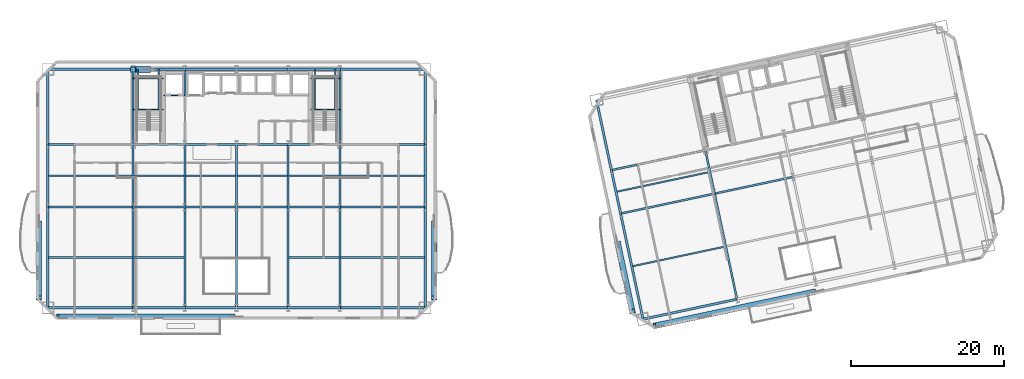
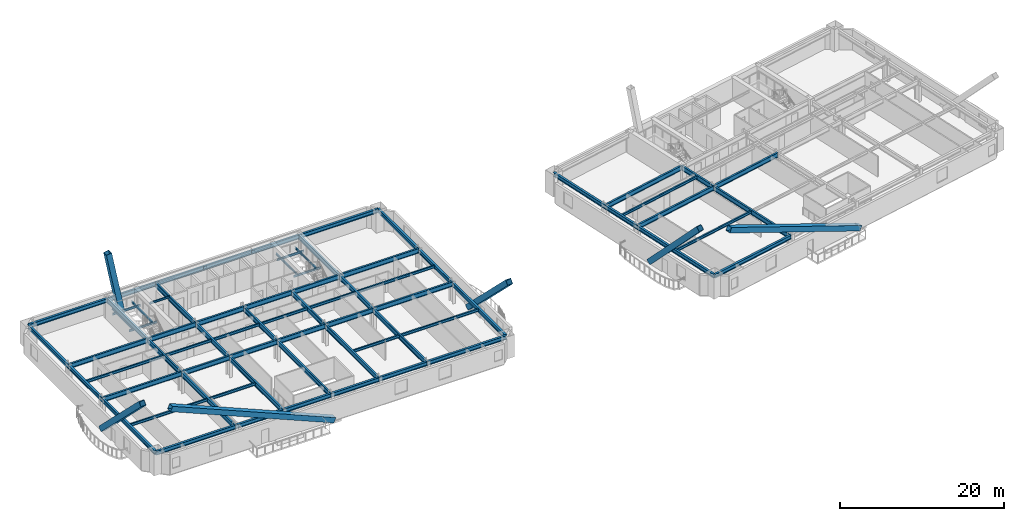
# One storey, part 3 of 18: 73 beams, 6 members.
"""IFC4 building model written with IfcOpenShell, lengths in metres."""

from ifc_helpers import new_model, si_unit, direction, frame, origin, origin_2d, place, context, subcontext, project, spatial, hollow_rectangle, i_section, extrude, material, material_profile, profile_set, type_object, element, save


model = new_model("IFC4")

# Units and contexts
model_context = context("Model", 3, precision=1e-05, world=origin(), true_north=direction((0.0, 1.0)))
body_context = subcontext(model_context, "Body", "Model", "MODEL_VIEW")
ifc_project = project(units=[si_unit("LENGTHUNIT", "METRE"), si_unit("AREAUNIT", "SQUARE_METRE"), si_unit("VOLUMEUNIT", "CUBIC_METRE"), si_unit("PLANEANGLEUNIT", "RADIAN"), si_unit("MASSUNIT", "GRAM", prefix="KILO")], contexts=[model_context])

# Site, building, storey
site_placement = place(None, origin())
site = spatial("IfcSite", under=ifc_project, at=site_placement, CompositionType="ELEMENT")
building_placement = place(site_placement, origin())
building = spatial("IfcBuilding", under=site, at=building_placement, Name="Haevon Station Towers", CompositionType="ELEMENT")
storey_placement = place(building_placement, frame((0.0, 0.0, 60.300048828125)))
storey = spatial("IfcBuildingStorey", under=building, at=storey_placement, Name="L15", CompositionType="ELEMENT", Elevation=60.300048828125)

# Beams
ifc_material_1 = material(Name="Steel S355", Category="steel")
ifc_material_profile_1 = material_profile(ifc_material_1, i_section(OverallWidth=0.25, OverallDepth=0.699951171875, WebThickness=0.012939453125, FlangeThickness=0.02392578125, at=origin_2d()), Name="H-700x250x13x24")
ifc_profile_set_1 = profile_set([ifc_material_profile_1], Name="Steel S355")
beam_type_1 = type_object("IfcBeamType", Name="BM-G700", PredefinedType="BEAM", material=ifc_profile_set_1)
beam_1_placement = place(storey_placement, frame((12.85009765625, 30.0, 2.699951171875), z_axis=(1.0, 0.0, 0.0), x_axis=(0.0, 1.0, 0.0)))
element("IfcBeam", 1, at=beam_1_placement, inside=storey, type_object=beam_type_1, Name="BM-T1U-L15-02-01", PredefinedType="BEAM", context=body_context, shape_type="SweptSolid", body=[
    extrude(i_section(OverallWidth=0.25, OverallDepth=0.699951171875, WebThickness=0.012939453125, FlangeThickness=0.02392578125, at=origin_2d()), origin(), (0.0, 0.0, 1.0), 11.14990234375),
])
for number, where, z_axis, x_axis, name in (
    (2, (24.0, 30.0, 2.699951171875), (1.0, 0.0, 0.0), (0.0, 1.0, 0.0), "BM-T1U-L15-02-02"),
    (3, (30.75, 30.0, 2.699951171875), (1.0, 0.0, 0.0), (0.0, 1.0, 0.0), "BM-T1U-L15-02-03"),
    (4, (37.5, 30.0, 2.699951171875), (1.0, 0.0, 0.0), (0.0, 1.0, 0.0), "BM-T1U-L15-02-04"),
    (5, (44.25, 30.0, 2.699951171875), (1.0, 0.0, 0.0), (0.0, 1.0, 0.0), "BM-T1U-L15-02-05"),
):
    element("IfcBeam", number, at=place(storey_placement, frame(where, z_axis=z_axis, x_axis=x_axis)), inside=storey, type_object=beam_type_1, Name=name, PredefinedType="BEAM", context=body_context, shape_type="SweptSolid", body=[
        extrude(i_section(OverallWidth=0.25, OverallDepth=0.699951171875, WebThickness=0.012939453125, FlangeThickness=0.02392578125, at=origin_2d()), origin(), (0.0, 0.0, 1.0), 6.75),
    ])
for number, where, z_axis, x_axis, name in (
    (6, (51.0, 30.0, 2.699951171875), (1.0, 0.0, 0.0), (0.0, 1.0, 0.0), "BM-T1U-L15-02-06"),
    (7, (12.85009765625, 38.199951171875, 2.699951171875), (1.0, 0.0, 0.0), (0.0, 1.0, 0.0), "BM-T1U-L15-03-01"),
):
    element("IfcBeam", number, at=place(storey_placement, frame(where, z_axis=z_axis, x_axis=x_axis)), inside=storey, type_object=beam_type_1, Name=name, PredefinedType="BEAM", context=body_context, shape_type="SweptSolid", body=[
        extrude(i_section(OverallWidth=0.25, OverallDepth=0.699951171875, WebThickness=0.012939453125, FlangeThickness=0.02392578125, at=origin_2d()), origin(), (0.0, 0.0, 1.0), 11.14990234375),
    ])
for number, where, z_axis, x_axis, name in (
    (8, (24.0, 38.199951171875, 2.699951171875), (1.0, 0.0, 0.0), (0.0, 1.0, 0.0), "BM-T1U-L15-03-02"),
    (9, (30.75, 38.199951171875, 2.699951171875), (1.0, 0.0, 0.0), (0.0, 1.0, 0.0), "BM-T1U-L15-03-03"),
    (10, (37.5, 38.199951171875, 2.699951171875), (1.0, 0.0, 0.0), (0.0, 1.0, 0.0), "BM-T1U-L15-03-04"),
    (11, (44.25, 38.199951171875, 2.699951171875), (1.0, 0.0, 0.0), (0.0, 1.0, 0.0), "BM-T1U-L15-03-05"),
):
    element("IfcBeam", number, at=place(storey_placement, frame(where, z_axis=z_axis, x_axis=x_axis)), inside=storey, type_object=beam_type_1, Name=name, PredefinedType="BEAM", context=body_context, shape_type="SweptSolid", body=[
        extrude(i_section(OverallWidth=0.25, OverallDepth=0.699951171875, WebThickness=0.012939453125, FlangeThickness=0.02392578125, at=origin_2d()), origin(), (0.0, 0.0, 1.0), 6.75),
    ])
beam_2_placement = place(storey_placement, frame((51.0, 38.199951171875, 2.699951171875), z_axis=(1.0, 0.0, 0.0), x_axis=(0.0, 1.0, 0.0)))
element("IfcBeam", 12, at=beam_2_placement, inside=storey, type_object=beam_type_1, Name="BM-T1U-L15-03-06", PredefinedType="BEAM", context=body_context, shape_type="SweptSolid", body=[
    extrude(i_section(OverallWidth=0.25, OverallDepth=0.699951171875, WebThickness=0.012939453125, FlangeThickness=0.02392578125, at=origin_2d()), origin(), (0.0, 0.0, 1.0), 11.14990234375),
])
beam_3_placement = place(storey_placement, frame((24.0, 16.85009765625, 2.699951171875), z_axis=(0.0, 1.0, 0.0), x_axis=(-1.0, 0.0, 0.0)))
element("IfcBeam", 13, at=beam_3_placement, inside=storey, type_object=beam_type_1, Name="BM-T1V-L15-02-01", PredefinedType="BEAM", context=body_context, shape_type="SweptSolid", body=[
    extrude(i_section(OverallWidth=0.25, OverallDepth=0.699951171875, WebThickness=0.012939453125, FlangeThickness=0.02392578125, at=origin_2d()), origin(), (0.0, 0.0, 1.0), 13.14990234375),
])
beam_4_placement = place(storey_placement, frame((24.0, 30.0, 2.699951171875), z_axis=(0.0, 1.0, 0.0), x_axis=(-1.0, 0.0, 0.0)))
element("IfcBeam", 14, at=beam_4_placement, inside=storey, type_object=beam_type_1, Name="BM-T1V-L15-02-02", PredefinedType="BEAM", context=body_context, shape_type="SweptSolid", body=[
    extrude(i_section(OverallWidth=0.25, OverallDepth=0.699951171875, WebThickness=0.012939453125, FlangeThickness=0.02392578125, at=origin_2d()), origin(), (0.0, 0.0, 1.0), 8.199951171875),
])
beam_5_placement = place(storey_placement, frame((24.0, 38.199951171875, 2.699951171875), z_axis=(0.0, 1.0, 0.0), x_axis=(-1.0, 0.0, 0.0)))
element("IfcBeam", 15, at=beam_5_placement, inside=storey, type_object=beam_type_1, Name="BM-T1V-L15-02-03", PredefinedType="BEAM", context=body_context, shape_type="SweptSolid", body=[
    extrude(i_section(OverallWidth=0.25, OverallDepth=0.699951171875, WebThickness=0.012939453125, FlangeThickness=0.02392578125, at=origin_2d()), origin(), (0.0, 0.0, 1.0), 9.800048828125),
])
beam_6_placement = place(storey_placement, frame((30.75, 16.85009765625, 2.699951171875), z_axis=(0.0, 1.0, 0.0), x_axis=(-1.0, 0.0, 0.0)))
element("IfcBeam", 16, at=beam_6_placement, inside=storey, type_object=beam_type_1, Name="BM-T1V-L15-03-01", PredefinedType="BEAM", context=body_context, shape_type="SweptSolid", body=[
    extrude(i_section(OverallWidth=0.25, OverallDepth=0.699951171875, WebThickness=0.012939453125, FlangeThickness=0.02392578125, at=origin_2d()), origin(), (0.0, 0.0, 1.0), 13.14990234375),
])
beam_7_placement = place(storey_placement, frame((30.75, 30.0, 2.699951171875), z_axis=(0.0, 1.0, 0.0), x_axis=(-1.0, 0.0, 0.0)))
element("IfcBeam", 17, at=beam_7_placement, inside=storey, type_object=beam_type_1, Name="BM-T1V-L15-03-02", PredefinedType="BEAM", context=body_context, shape_type="SweptSolid", body=[
    extrude(i_section(OverallWidth=0.25, OverallDepth=0.699951171875, WebThickness=0.012939453125, FlangeThickness=0.02392578125, at=origin_2d()), origin(), (0.0, 0.0, 1.0), 8.199951171875),
])
beam_8_placement = place(storey_placement, frame((30.75, 38.199951171875, 2.699951171875), z_axis=(0.0, 1.0, 0.0), x_axis=(-1.0, 0.0, 0.0)))
element("IfcBeam", 18, at=beam_8_placement, inside=storey, type_object=beam_type_1, Name="BM-T1V-L15-03-03", PredefinedType="BEAM", context=body_context, shape_type="SweptSolid", body=[
    extrude(i_section(OverallWidth=0.25, OverallDepth=0.699951171875, WebThickness=0.012939453125, FlangeThickness=0.02392578125, at=origin_2d()), origin(), (0.0, 0.0, 1.0), 9.800048828125),
])
beam_9_placement = place(storey_placement, frame((37.5, 16.85009765625, 2.699951171875), z_axis=(0.0, 1.0, 0.0), x_axis=(-1.0, 0.0, 0.0)))
element("IfcBeam", 19, at=beam_9_placement, inside=storey, type_object=beam_type_1, Name="BM-T1V-L15-04-01", PredefinedType="BEAM", context=body_context, shape_type="SweptSolid", body=[
    extrude(i_section(OverallWidth=0.25, OverallDepth=0.699951171875, WebThickness=0.012939453125, FlangeThickness=0.02392578125, at=origin_2d()), origin(), (0.0, 0.0, 1.0), 13.14990234375),
])
beam_10_placement = place(storey_placement, frame((37.5, 30.0, 2.699951171875), z_axis=(0.0, 1.0, 0.0), x_axis=(-1.0, 0.0, 0.0)))
element("IfcBeam", 20, at=beam_10_placement, inside=storey, type_object=beam_type_1, Name="BM-T1V-L15-04-02", PredefinedType="BEAM", context=body_context, shape_type="SweptSolid", body=[
    extrude(i_section(OverallWidth=0.25, OverallDepth=0.699951171875, WebThickness=0.012939453125, FlangeThickness=0.02392578125, at=origin_2d()), origin(), (0.0, 0.0, 1.0), 8.199951171875),
])
beam_11_placement = place(storey_placement, frame((44.25, 16.85009765625, 2.699951171875), z_axis=(0.0, 1.0, 0.0), x_axis=(-1.0, 0.0, 0.0)))
element("IfcBeam", 21, at=beam_11_placement, inside=storey, type_object=beam_type_1, Name="BM-T1V-L15-05-01", PredefinedType="BEAM", context=body_context, shape_type="SweptSolid", body=[
    extrude(i_section(OverallWidth=0.25, OverallDepth=0.699951171875, WebThickness=0.012939453125, FlangeThickness=0.02392578125, at=origin_2d()), origin(), (0.0, 0.0, 1.0), 13.14990234375),
])
beam_12_placement = place(storey_placement, frame((44.25, 30.0, 2.699951171875), z_axis=(0.0, 1.0, 0.0), x_axis=(-1.0, 0.0, 0.0)))
element("IfcBeam", 22, at=beam_12_placement, inside=storey, type_object=beam_type_1, Name="BM-T1V-L15-05-02", PredefinedType="BEAM", context=body_context, shape_type="SweptSolid", body=[
    extrude(i_section(OverallWidth=0.25, OverallDepth=0.699951171875, WebThickness=0.012939453125, FlangeThickness=0.02392578125, at=origin_2d()), origin(), (0.0, 0.0, 1.0), 8.199951171875),
])
beam_13_placement = place(storey_placement, frame((51.0, 16.85009765625, 2.699951171875), z_axis=(0.0, 1.0, 0.0), x_axis=(-1.0, 0.0, 0.0)))
element("IfcBeam", 23, at=beam_13_placement, inside=storey, type_object=beam_type_1, Name="BM-T1V-L15-06-01", PredefinedType="BEAM", context=body_context, shape_type="SweptSolid", body=[
    extrude(i_section(OverallWidth=0.25, OverallDepth=0.699951171875, WebThickness=0.012939453125, FlangeThickness=0.02392578125, at=origin_2d()), origin(), (0.0, 0.0, 1.0), 13.14990234375),
])
beam_14_placement = place(storey_placement, frame((51.0, 30.0, 2.699951171875), z_axis=(0.0, 1.0, 0.0), x_axis=(-1.0, 0.0, 0.0)))
element("IfcBeam", 24, at=beam_14_placement, inside=storey, type_object=beam_type_1, Name="BM-T1V-L15-06-02", PredefinedType="BEAM", context=body_context, shape_type="SweptSolid", body=[
    extrude(i_section(OverallWidth=0.25, OverallDepth=0.699951171875, WebThickness=0.012939453125, FlangeThickness=0.02392578125, at=origin_2d()), origin(), (0.0, 0.0, 1.0), 8.199951171875),
])
beam_15_placement = place(storey_placement, frame((51.0, 38.199951171875, 2.699951171875), z_axis=(0.0, 1.0, 0.0), x_axis=(-1.0, 0.0, 0.0)))
element("IfcBeam", 25, at=beam_15_placement, inside=storey, type_object=beam_type_1, Name="BM-T1V-L15-06-03", PredefinedType="BEAM", context=body_context, shape_type="SweptSolid", body=[
    extrude(i_section(OverallWidth=0.25, OverallDepth=0.699951171875, WebThickness=0.012939453125, FlangeThickness=0.02392578125, at=origin_2d()), origin(), (0.0, 0.0, 1.0), 9.800048828125),
])
beam_16_placement = place(storey_placement, frame((87.682373046875, 29.159912109375, 2.699951171875), z_axis=(0.978150643069, 0.207897377242, 0.0), x_axis=(-0.207897377242, 0.978150643069, 0.0)))
element("IfcBeam", 26, at=beam_16_placement, inside=storey, type_object=beam_type_1, Name="BM-T2U-L15-02-01", PredefinedType="BEAM", context=body_context, shape_type="SweptSolid", body=[
    extrude(i_section(OverallWidth=0.25, OverallDepth=0.699951171875, WebThickness=0.012939453125, FlangeThickness=0.02392578125, at=origin_2d()), origin(), (0.0, 0.0, 1.0), 12.550048828125),
])
beam_17_placement = place(storey_placement, frame((99.958251953125, 31.76904296875, 2.699951171875), z_axis=(0.978146794194, 0.207915485254, 0.0), x_axis=(-0.207915485254, 0.978146794194, 0.0)))
element("IfcBeam", 27, at=beam_17_placement, inside=storey, type_object=beam_type_1, Name="BM-T2U-L15-02-02", PredefinedType="BEAM", context=body_context, shape_type="SweptSolid", body=[
    extrude(i_section(OverallWidth=0.25, OverallDepth=0.699951171875, WebThickness=0.012939453125, FlangeThickness=0.02392578125, at=origin_2d()), origin(), (0.0, 0.0, 1.0), 10.5),
])
beam_18_placement = place(storey_placement, frame((86.4765625, 34.8330078125, 2.699951171875), z_axis=(0.978146686984, 0.207915989628, 0.0), x_axis=(-0.207915989628, 0.978146686984, 0.0)))
element("IfcBeam", 28, at=beam_18_placement, inside=storey, type_object=beam_type_1, Name="BM-T2U-L15-03-01", PredefinedType="BEAM", context=body_context, shape_type="SweptSolid", body=[
    extrude(i_section(OverallWidth=0.25, OverallDepth=0.699951171875, WebThickness=0.012939453125, FlangeThickness=0.02392578125, at=origin_2d()), origin(), (0.0, 0.0, 1.0), 12.550048828125),
])
beam_19_placement = place(storey_placement, frame((102.889892578125, 17.977294921875, 2.699951171875), z_axis=(-0.207919431961, 0.978145955271, 0.0), x_axis=(-0.978145955271, -0.207919431961, 0.0)))
element("IfcBeam", 29, at=beam_19_placement, inside=storey, type_object=beam_type_1, Name="BM-T2V-L15-02-01", PredefinedType="BEAM", context=body_context, shape_type="SweptSolid", body=[
    extrude(i_section(OverallWidth=0.25, OverallDepth=0.699951171875, WebThickness=0.012939453125, FlangeThickness=0.02392578125, at=origin_2d()), origin(), (0.0, 0.0, 1.0), 14.099853515625),
])
beam_20_placement = place(storey_placement, frame((99.958251953125, 31.76904296875, 2.699951171875), z_axis=(-0.207896009217, 0.97815093383, 0.0), x_axis=(-0.97815093383, -0.207896009217, 0.0)))
element("IfcBeam", 30, at=beam_20_placement, inside=storey, type_object=beam_type_1, Name="BM-T2V-L15-02-02", PredefinedType="BEAM", context=body_context, shape_type="SweptSolid", body=[
    extrude(i_section(OverallWidth=0.25, OverallDepth=0.699951171875, WebThickness=0.012939453125, FlangeThickness=0.02392578125, at=origin_2d()), origin(), (0.0, 0.0, 1.0), 5.800048828125),
])
ifc_material_profile_2 = material_profile(ifc_material_1, i_section(OverallWidth=0.199951171875, OverallDepth=0.39990234375, WebThickness=0.008056640625, FlangeThickness=0.012939453125, at=origin_2d()), Name="H-400x200x8x13")
ifc_profile_set_2 = profile_set([ifc_material_profile_2], Name="Steel S355")
beam_type_2 = type_object("IfcBeamType", Name="BM-J400", PredefinedType="JOIST", material=ifc_profile_set_2)
beam_21_placement = place(storey_placement, frame((12.9599609375, 23.425048828125, 2.849853515625), z_axis=(1.0, 0.0, 0.0), x_axis=(0.0, 1.0, 0.0)))
element("IfcBeam", 31, at=beam_21_placement, inside=storey, type_object=beam_type_2, Name="BM-T1J-L15-01-01", PredefinedType="JOIST", context=body_context, shape_type="SweptSolid", body=[
    extrude(i_section(OverallWidth=0.199951171875, OverallDepth=0.39990234375, WebThickness=0.008056640625, FlangeThickness=0.012939453125, at=origin_2d()), origin(), (0.0, 0.0, 1.0), 10.929931640625),
])
for number, where, z_axis, x_axis, name in (
    (32, (24.110107421875, 23.425048828125, 2.849853515625), (1.0, 0.0, 0.0), (0.0, 1.0, 0.0), "BM-T1J-L15-01-02"),
    (33, (44.360107421875, 23.425048828125, 2.849853515625), (1.0, 0.0, 0.0), (0.0, 1.0, 0.0), "BM-T1J-L15-01-05"),
):
    element("IfcBeam", number, at=place(storey_placement, frame(where, z_axis=z_axis, x_axis=x_axis)), inside=storey, type_object=beam_type_2, Name=name, PredefinedType="JOIST", context=body_context, shape_type="SweptSolid", body=[
        extrude(i_section(OverallWidth=0.199951171875, OverallDepth=0.39990234375, WebThickness=0.008056640625, FlangeThickness=0.012939453125, at=origin_2d()), origin(), (0.0, 0.0, 1.0), 6.52978515625),
    ])
for number, where, z_axis, x_axis, name in (
    (34, (51.110107421875, 23.425048828125, 2.849853515625), (1.0, 0.0, 0.0), (0.0, 1.0, 0.0), "BM-T1J-L15-01-06"),
    (35, (12.9599609375, 34.10009765625, 2.849853515625), (1.0, 0.0, 0.0), (0.0, 1.0, 0.0), "BM-T1J-L15-02-01"),
):
    element("IfcBeam", number, at=place(storey_placement, frame(where, z_axis=z_axis, x_axis=x_axis)), inside=storey, type_object=beam_type_2, Name=name, PredefinedType="JOIST", context=body_context, shape_type="SweptSolid", body=[
        extrude(i_section(OverallWidth=0.199951171875, OverallDepth=0.39990234375, WebThickness=0.008056640625, FlangeThickness=0.012939453125, at=origin_2d()), origin(), (0.0, 0.0, 1.0), 10.929931640625),
    ])
for number, where, z_axis, x_axis, name in (
    (36, (24.110107421875, 34.10009765625, 2.849853515625), (1.0, 0.0, 0.0), (0.0, 1.0, 0.0), "BM-T1J-L15-02-02"),
    (37, (30.860107421875, 34.10009765625, 2.849853515625), (1.0, 0.0, 0.0), (0.0, 1.0, 0.0), "BM-T1J-L15-02-03"),
    (38, (37.610107421875, 34.10009765625, 2.849853515625), (1.0, 0.0, 0.0), (0.0, 1.0, 0.0), "BM-T1J-L15-02-04"),
    (39, (44.360107421875, 34.10009765625, 2.849853515625), (1.0, 0.0, 0.0), (0.0, 1.0, 0.0), "BM-T1J-L15-02-05"),
):
    element("IfcBeam", number, at=place(storey_placement, frame(where, z_axis=z_axis, x_axis=x_axis)), inside=storey, type_object=beam_type_2, Name=name, PredefinedType="JOIST", context=body_context, shape_type="SweptSolid", body=[
        extrude(i_section(OverallWidth=0.199951171875, OverallDepth=0.39990234375, WebThickness=0.008056640625, FlangeThickness=0.012939453125, at=origin_2d()), origin(), (0.0, 0.0, 1.0), 6.52978515625),
    ])
beam_22_placement = place(storey_placement, frame((51.110107421875, 34.10009765625, 2.849853515625), z_axis=(1.0, 0.0, 0.0), x_axis=(0.0, 1.0, 0.0)))
element("IfcBeam", 40, at=beam_22_placement, inside=storey, type_object=beam_type_2, Name="BM-T1J-L15-02-06", PredefinedType="JOIST", context=body_context, shape_type="SweptSolid", body=[
    extrude(i_section(OverallWidth=0.199951171875, OverallDepth=0.39990234375, WebThickness=0.008056640625, FlangeThickness=0.012939453125, at=origin_2d()), origin(), (0.0, 0.0, 1.0), 10.929931640625),
])
for number, where, z_axis, x_axis, name in (
    (41, (89.255859375, 22.286865234375, 2.849853515625), (0.97814878519, 0.20790611831, 0.0), (-0.20790611831, 0.97814878519, 0.0), "BM-T2J-L15-01-01"),
    (42, (87.187255859375, 32.019287109375, 2.849853515625), (0.978144758315, 0.207925062896, 0.0), (-0.207925062896, 0.978144758315, 0.0), "BM-T2J-L15-02-01"),
):
    element("IfcBeam", number, at=place(storey_placement, frame(where, z_axis=z_axis, x_axis=x_axis)), inside=storey, type_object=beam_type_2, Name=name, PredefinedType="JOIST", context=body_context, shape_type="SweptSolid", body=[
        extrude(i_section(OverallWidth=0.199951171875, OverallDepth=0.39990234375, WebThickness=0.008056640625, FlangeThickness=0.012939453125, at=origin_2d()), origin(), (0.0, 0.0, 1.0), 12.330078125),
    ])
ifc_material_profile_3 = material_profile(ifc_material_1, i_section(OverallWidth=0.14990234375, OverallDepth=0.300048828125, WebThickness=0.006591796875, FlangeThickness=0.009033203125, at=origin_2d()), Name="H-300x150x6.5x9")
ifc_profile_set_3 = profile_set([ifc_material_profile_3], Name="Steel S355")
beam_type_3 = type_object("IfcBeamType", Name="BM-LIN300", PredefinedType="LINTEL", material=ifc_profile_set_3)
for number, where, z_axis, x_axis, name in (
    (43, (24.0, 42.743896484375, 1.300048828125), (1.0, 0.0, 0.0), (0.0, 1.0, 0.0), "BM-ST1L-L15-1-S"),
    (44, (24.0, 46.820068359375, 1.300048828125), (1.0, 0.0, 0.0), (0.0, 1.0, 0.0), "BM-ST1L-L15-1-N"),
):
    element("IfcBeam", number, at=place(storey_placement, frame(where, z_axis=z_axis, x_axis=x_axis)), inside=storey, type_object=beam_type_3, Name=name, PredefinedType="LINTEL", context=body_context, shape_type="SweptSolid", body=[
        extrude(i_section(OverallWidth=0.14990234375, OverallDepth=0.300048828125, WebThickness=0.006591796875, FlangeThickness=0.009033203125, at=origin_2d()), origin(), (0.0, 0.0, 1.0), 3.949951171875),
    ])
for number, where, z_axis, x_axis, name in (
    (45, (24.60009765625, 42.743896484375, 1.300048828125), (0.0, 1.0, 0.0), (-1.0, 0.0, 0.0), "BM-ST1L-L15-1-W"),
    (46, (27.35009765625, 42.743896484375, 1.300048828125), (0.0, 1.0, 0.0), (-1.0, 0.0, 0.0), "BM-ST1L-L15-1-E"),
):
    element("IfcBeam", number, at=place(storey_placement, frame(where, z_axis=z_axis, x_axis=x_axis)), inside=storey, type_object=beam_type_3, Name=name, PredefinedType="LINTEL", context=body_context, shape_type="SweptSolid", body=[
        extrude(i_section(OverallWidth=0.14990234375, OverallDepth=0.300048828125, WebThickness=0.006591796875, FlangeThickness=0.009033203125, at=origin_2d()), origin(), (0.0, 0.0, 1.0), 5.256103515625),
    ])
for number, where, z_axis, x_axis, name in (
    (47, (47.14990234375, 42.743896484375, 1.300048828125), (1.0, 0.0, 0.0), (0.0, 1.0, 0.0), "BM-ST2L-L15-1-S"),
    (48, (47.14990234375, 46.820068359375, 1.300048828125), (1.0, 0.0, 0.0), (0.0, 1.0, 0.0), "BM-ST2L-L15-1-N"),
):
    element("IfcBeam", number, at=place(storey_placement, frame(where, z_axis=z_axis, x_axis=x_axis)), inside=storey, type_object=beam_type_3, Name=name, PredefinedType="LINTEL", context=body_context, shape_type="SweptSolid", body=[
        extrude(i_section(OverallWidth=0.14990234375, OverallDepth=0.300048828125, WebThickness=0.006591796875, FlangeThickness=0.009033203125, at=origin_2d()), origin(), (0.0, 0.0, 1.0), 3.85009765625),
    ])
for number, where, z_axis, x_axis, name in (
    (49, (47.75, 42.743896484375, 1.300048828125), (0.0, 1.0, 0.0), (-1.0, 0.0, 0.0), "BM-ST2L-L15-1-W"),
    (50, (50.39990234375, 42.743896484375, 1.300048828125), (0.0, 1.0, 0.0), (-1.0, 0.0, 0.0), "BM-ST2L-L15-1-E"),
):
    element("IfcBeam", number, at=place(storey_placement, frame(where, z_axis=z_axis, x_axis=x_axis)), inside=storey, type_object=beam_type_3, Name=name, PredefinedType="LINTEL", context=body_context, shape_type="SweptSolid", body=[
        extrude(i_section(OverallWidth=0.14990234375, OverallDepth=0.300048828125, WebThickness=0.006591796875, FlangeThickness=0.009033203125, at=origin_2d()), origin(), (0.0, 0.0, 1.0), 5.256103515625),
    ])
beam_23_placement = place(storey_placement, frame((27.949951171875, 44.60009765625, 2.89990234375), z_axis=(1.0, 0.0, 0.0), x_axis=(0.0, 1.0, 0.0)))
element("IfcBeam", 51, at=beam_23_placement, inside=storey, type_object=beam_type_3, Name="BM-T1LIN-L15", PredefinedType="LINTEL", context=body_context, shape_type="SweptSolid", body=[
    extrude(i_section(OverallWidth=0.14990234375, OverallDepth=0.300048828125, WebThickness=0.006591796875, FlangeThickness=0.009033203125, at=origin_2d()), origin(), (0.0, 0.0, 1.0), 2.85009765625),
])
ifc_material_profile_4 = material_profile(ifc_material_1, i_section(OverallWidth=0.300048828125, OverallDepth=0.587890625, WebThickness=0.011962890625, FlangeThickness=0.02001953125, at=origin_2d()), Name="H-588x300x12x20")
ifc_profile_set_4 = profile_set([ifc_material_profile_4], Name="Steel S355")
beam_type_4 = type_object("IfcBeamType", Name="BM-SP588", PredefinedType="SPANDREL", material=ifc_profile_set_4)
beam_24_placement = place(storey_placement, frame((12.85009765625, 16.85009765625, 2.755859375), z_axis=(1.0, 0.0, 0.0), x_axis=(0.0, 1.0, 0.0)))
element("IfcBeam", 52, at=beam_24_placement, inside=storey, type_object=beam_type_4, Name="BM-T1U-L15-01-01", PredefinedType="SPANDREL", context=body_context, shape_type="SweptSolid", body=[
    extrude(i_section(OverallWidth=0.300048828125, OverallDepth=0.587890625, WebThickness=0.011962890625, FlangeThickness=0.02001953125, at=origin_2d()), origin(), (0.0, 0.0, 1.0), 11.14990234375),
])
for number, where, z_axis, x_axis, name in (
    (53, (24.0, 16.85009765625, 2.755859375), (1.0, 0.0, 0.0), (0.0, 1.0, 0.0), "BM-T1U-L15-01-02"),
    (54, (30.75, 16.85009765625, 2.755859375), (1.0, 0.0, 0.0), (0.0, 1.0, 0.0), "BM-T1U-L15-01-03"),
    (55, (37.5, 16.85009765625, 2.755859375), (1.0, 0.0, 0.0), (0.0, 1.0, 0.0), "BM-T1U-L15-01-04"),
    (56, (44.25, 16.85009765625, 2.755859375), (1.0, 0.0, 0.0), (0.0, 1.0, 0.0), "BM-T1U-L15-01-05"),
):
    element("IfcBeam", number, at=place(storey_placement, frame(where, z_axis=z_axis, x_axis=x_axis)), inside=storey, type_object=beam_type_4, Name=name, PredefinedType="SPANDREL", context=body_context, shape_type="SweptSolid", body=[
        extrude(i_section(OverallWidth=0.300048828125, OverallDepth=0.587890625, WebThickness=0.011962890625, FlangeThickness=0.02001953125, at=origin_2d()), origin(), (0.0, 0.0, 1.0), 6.75),
    ])
for number, where, z_axis, x_axis, name in (
    (57, (51.0, 16.85009765625, 2.755859375), (1.0, 0.0, 0.0), (0.0, 1.0, 0.0), "BM-T1U-L15-01-06"),
    (58, (12.85009765625, 48.0, 2.755859375), (1.0, 0.0, 0.0), (0.0, 1.0, 0.0), "BM-T1U-L15-04-01"),
):
    element("IfcBeam", number, at=place(storey_placement, frame(where, z_axis=z_axis, x_axis=x_axis)), inside=storey, type_object=beam_type_4, Name=name, PredefinedType="SPANDREL", context=body_context, shape_type="SweptSolid", body=[
        extrude(i_section(OverallWidth=0.300048828125, OverallDepth=0.587890625, WebThickness=0.011962890625, FlangeThickness=0.02001953125, at=origin_2d()), origin(), (0.0, 0.0, 1.0), 11.14990234375),
    ])
for number, where, z_axis, x_axis, name in (
    (59, (24.0, 48.0, 2.755859375), (1.0, 0.0, 0.0), (0.0, 1.0, 0.0), "BM-T1U-L15-04-02"),
    (60, (30.75, 48.0, 2.755859375), (1.0, 0.0, 0.0), (0.0, 1.0, 0.0), "BM-T1U-L15-04-03"),
    (61, (37.5, 48.0, 2.755859375), (1.0, 0.0, 0.0), (0.0, 1.0, 0.0), "BM-T1U-L15-04-04"),
    (62, (44.25, 48.0, 2.755859375), (1.0, 0.0, 0.0), (0.0, 1.0, 0.0), "BM-T1U-L15-04-05"),
):
    element("IfcBeam", number, at=place(storey_placement, frame(where, z_axis=z_axis, x_axis=x_axis)), inside=storey, type_object=beam_type_4, Name=name, PredefinedType="SPANDREL", context=body_context, shape_type="SweptSolid", body=[
        extrude(i_section(OverallWidth=0.300048828125, OverallDepth=0.587890625, WebThickness=0.011962890625, FlangeThickness=0.02001953125, at=origin_2d()), origin(), (0.0, 0.0, 1.0), 6.75),
    ])
beam_25_placement = place(storey_placement, frame((51.0, 48.0, 2.755859375), z_axis=(1.0, 0.0, 0.0), x_axis=(0.0, 1.0, 0.0)))
element("IfcBeam", 63, at=beam_25_placement, inside=storey, type_object=beam_type_4, Name="BM-T1U-L15-04-06", PredefinedType="SPANDREL", context=body_context, shape_type="SweptSolid", body=[
    extrude(i_section(OverallWidth=0.300048828125, OverallDepth=0.587890625, WebThickness=0.011962890625, FlangeThickness=0.02001953125, at=origin_2d()), origin(), (0.0, 0.0, 1.0), 11.14990234375),
])
beam_26_placement = place(storey_placement, frame((12.85009765625, 16.85009765625, 2.755859375), z_axis=(0.0, 1.0, 0.0), x_axis=(-1.0, 0.0, 0.0)))
element("IfcBeam", 64, at=beam_26_placement, inside=storey, type_object=beam_type_4, Name="BM-T1V-L15-01-01", PredefinedType="SPANDREL", context=body_context, shape_type="SweptSolid", body=[
    extrude(i_section(OverallWidth=0.300048828125, OverallDepth=0.587890625, WebThickness=0.011962890625, FlangeThickness=0.02001953125, at=origin_2d()), origin(), (0.0, 0.0, 1.0), 13.14990234375),
])
beam_27_placement = place(storey_placement, frame((12.85009765625, 30.0, 2.755859375), z_axis=(0.0, 1.0, 0.0), x_axis=(-1.0, 0.0, 0.0)))
element("IfcBeam", 65, at=beam_27_placement, inside=storey, type_object=beam_type_4, Name="BM-T1V-L15-01-02", PredefinedType="SPANDREL", context=body_context, shape_type="SweptSolid", body=[
    extrude(i_section(OverallWidth=0.300048828125, OverallDepth=0.587890625, WebThickness=0.011962890625, FlangeThickness=0.02001953125, at=origin_2d()), origin(), (0.0, 0.0, 1.0), 8.199951171875),
])
beam_28_placement = place(storey_placement, frame((12.85009765625, 38.199951171875, 2.755859375), z_axis=(0.0, 1.0, 0.0), x_axis=(-1.0, 0.0, 0.0)))
element("IfcBeam", 66, at=beam_28_placement, inside=storey, type_object=beam_type_4, Name="BM-T1V-L15-01-03", PredefinedType="SPANDREL", context=body_context, shape_type="SweptSolid", body=[
    extrude(i_section(OverallWidth=0.300048828125, OverallDepth=0.587890625, WebThickness=0.011962890625, FlangeThickness=0.02001953125, at=origin_2d()), origin(), (0.0, 0.0, 1.0), 9.800048828125),
])
beam_29_placement = place(storey_placement, frame((62.14990234375, 16.85009765625, 2.755859375), z_axis=(0.0, 1.0, 0.0), x_axis=(-1.0, 0.0, 0.0)))
element("IfcBeam", 67, at=beam_29_placement, inside=storey, type_object=beam_type_4, Name="BM-T1V-L15-07-01", PredefinedType="SPANDREL", context=body_context, shape_type="SweptSolid", body=[
    extrude(i_section(OverallWidth=0.300048828125, OverallDepth=0.587890625, WebThickness=0.011962890625, FlangeThickness=0.02001953125, at=origin_2d()), origin(), (0.0, 0.0, 1.0), 13.14990234375),
])
beam_30_placement = place(storey_placement, frame((62.14990234375, 30.0, 2.755859375), z_axis=(0.0, 1.0, 0.0), x_axis=(-1.0, 0.0, 0.0)))
element("IfcBeam", 68, at=beam_30_placement, inside=storey, type_object=beam_type_4, Name="BM-T1V-L15-07-02", PredefinedType="SPANDREL", context=body_context, shape_type="SweptSolid", body=[
    extrude(i_section(OverallWidth=0.300048828125, OverallDepth=0.587890625, WebThickness=0.011962890625, FlangeThickness=0.02001953125, at=origin_2d()), origin(), (0.0, 0.0, 1.0), 8.199951171875),
])
beam_31_placement = place(storey_placement, frame((62.14990234375, 38.199951171875, 2.755859375), z_axis=(0.0, 1.0, 0.0), x_axis=(-1.0, 0.0, 0.0)))
element("IfcBeam", 69, at=beam_31_placement, inside=storey, type_object=beam_type_4, Name="BM-T1V-L15-07-03", PredefinedType="SPANDREL", context=body_context, shape_type="SweptSolid", body=[
    extrude(i_section(OverallWidth=0.300048828125, OverallDepth=0.587890625, WebThickness=0.011962890625, FlangeThickness=0.02001953125, at=origin_2d()), origin(), (0.0, 0.0, 1.0), 9.800048828125),
])
beam_32_placement = place(storey_placement, frame((90.614013671875, 15.367919921875, 2.755859375), z_axis=(0.978146686984, 0.207915989628, 0.0), x_axis=(-0.207915989628, 0.978146686984, 0.0)))
element("IfcBeam", 70, at=beam_32_placement, inside=storey, type_object=beam_type_4, Name="BM-T2U-L15-01-01", PredefinedType="SPANDREL", context=body_context, shape_type="SweptSolid", body=[
    extrude(i_section(OverallWidth=0.300048828125, OverallDepth=0.587890625, WebThickness=0.011962890625, FlangeThickness=0.02001953125, at=origin_2d()), origin(), (0.0, 0.0, 1.0), 12.550048828125),
])
beam_33_placement = place(storey_placement, frame((90.614013671875, 15.367919921875, 2.755859375), z_axis=(-0.207915910556, 0.978146703791, 0.0), x_axis=(-0.978146703791, -0.207915910556, 0.0)))
element("IfcBeam", 71, at=beam_33_placement, inside=storey, type_object=beam_type_4, Name="BM-T2V-L15-01-01", PredefinedType="SPANDREL", context=body_context, shape_type="SweptSolid", body=[
    extrude(i_section(OverallWidth=0.300048828125, OverallDepth=0.587890625, WebThickness=0.011962890625, FlangeThickness=0.02001953125, at=origin_2d()), origin(), (0.0, 0.0, 1.0), 14.10009765625),
])
beam_34_placement = place(storey_placement, frame((87.682373046875, 29.159912109375, 2.755859375), z_axis=(-0.207904569273, 0.978149114438, 0.0), x_axis=(-0.978149114438, -0.207904569273, 0.0)))
element("IfcBeam", 72, at=beam_34_placement, inside=storey, type_object=beam_type_4, Name="BM-T2V-L15-01-02", PredefinedType="SPANDREL", context=body_context, shape_type="SweptSolid", body=[
    extrude(i_section(OverallWidth=0.300048828125, OverallDepth=0.587890625, WebThickness=0.011962890625, FlangeThickness=0.02001953125, at=origin_2d()), origin(), (0.0, 0.0, 1.0), 5.7998046875),
])
beam_35_placement = place(storey_placement, frame((86.4765625, 34.8330078125, 2.755859375), z_axis=(-0.207897167074, 0.978150687738, 0.0), x_axis=(-0.978150687738, -0.207897167074, 0.0)))
element("IfcBeam", 73, at=beam_35_placement, inside=storey, type_object=beam_type_4, Name="BM-T2V-L15-01-03", PredefinedType="SPANDREL", context=body_context, shape_type="SweptSolid", body=[
    extrude(i_section(OverallWidth=0.300048828125, OverallDepth=0.587890625, WebThickness=0.011962890625, FlangeThickness=0.02001953125, at=origin_2d()), origin(), (0.0, 0.0, 1.0), 9.35009765625),
])

# Members
ifc_material_2 = material(Name="Steel S460", Category="steel")
ifc_material_profile_5 = material_profile(ifc_material_2, hollow_rectangle(XDim=0.75, YDim=0.75, WallThickness=0.035888671875, at=origin_2d()), Name="RHS-750x750x36")
ifc_profile_set_5 = profile_set([ifc_material_profile_5], Name="Steel S460")
member_type = type_object("IfcMemberType", Name="MB-750", PredefinedType="BRACE", material=ifc_profile_set_5)
member_1_placement = place(storey_placement, frame((37.1435546875, 15.679931640625, 0.015869140625), z_axis=(-0.920880321009, 0.0, 0.389845398048), x_axis=(0.0, -1.0, 0.0)))
element("IfcMember", 74, at=member_1_placement, inside=storey, type_object=member_type, Name="BR-T1MB-T01-S-D2B", PredefinedType="BRACE", context=body_context, shape_type="SweptSolid", body=[
    extrude(hollow_rectangle(XDim=0.75, YDim=0.75, WallThickness=0.035888671875, at=origin_2d()), origin(), (0.0, 0.0, 1.0), 24.96923828125),
])
member_2_placement = place(storey_placement, frame((25.899169921875, 48.0, 0.244384765625), z_axis=(-0.195922392356, 0.0, 0.980619404343), x_axis=(0.0, -1.0, 0.0)))
element("IfcMember", 75, at=member_2_placement, inside=storey, type_object=member_type, Name="BR-T1MB-T01-N-D2B", PredefinedType="BRACE", context=body_context, shape_type="SweptSolid", body=[
    extrude(hollow_rectangle(XDim=0.75, YDim=0.75, WallThickness=0.035888671875, at=origin_2d()), origin(), (0.0, 0.0, 1.0), 9.693359375),
])
for number, where, z_axis, x_axis, name in (
    (76, (11.679931640625, 27.8994140625, 0.13671875), (0.0, -0.712064136514, 0.702114424785), (1.0, 0.0, 0.0), "BR-T1MB-T01-W-D2B"),
    (77, (63.320068359375, 27.8994140625, 0.13671875), (0.0, -0.712064136514, 0.702114424785), (1.0, 0.0, 0.0), "BR-T1MB-T01-E-D2B"),
):
    element("IfcMember", number, at=place(storey_placement, frame(where, z_axis=z_axis, x_axis=x_axis)), inside=storey, type_object=member_type, Name=name, PredefinedType="BRACE", context=body_context, shape_type="SweptSolid", body=[
        extrude(hollow_rectangle(XDim=0.75, YDim=0.75, WallThickness=0.035888671875, at=origin_2d()), origin(), (0.0, 0.0, 1.0), 13.69189453125),
    ])
member_3_placement = place(storey_placement, frame((113.05908203125, 18.942626953125, 0.025146484375), z_axis=(-0.89049563833, -0.189275767195, 0.413753794023), x_axis=(0.207906516075, -0.978148700645, 0.0)))
element("IfcMember", 78, at=member_3_placement, inside=storey, type_object=member_type, Name="BR-T2MB-T01-S-D2B", PredefinedType="BRACE", context=body_context, shape_type="SweptSolid", body=[
    extrude(hollow_rectangle(XDim=0.75, YDim=0.75, WallThickness=0.035888671875, at=origin_2d()), origin(), (0.0, 0.0, 1.0), 23.50390625),
])
member_4_placement = place(storey_placement, frame((87.32080078125, 25.233642578125, 0.146728515625), z_axis=(0.142463526517, -0.670248860522, 0.728334132511), x_axis=(0.978148273478, 0.207908525779, 0.0)))
element("IfcMember", 79, at=member_4_placement, inside=storey, type_object=member_type, Name="BR-T2MB-T01-W-D2B", PredefinedType="BRACE", context=body_context, shape_type="SweptSolid", body=[
    extrude(hollow_rectangle(XDim=0.75, YDim=0.75, WallThickness=0.035888671875, at=origin_2d()), origin(), (0.0, 0.0, 1.0), 13.185302734375),
])

save(model, "model.ifc")
